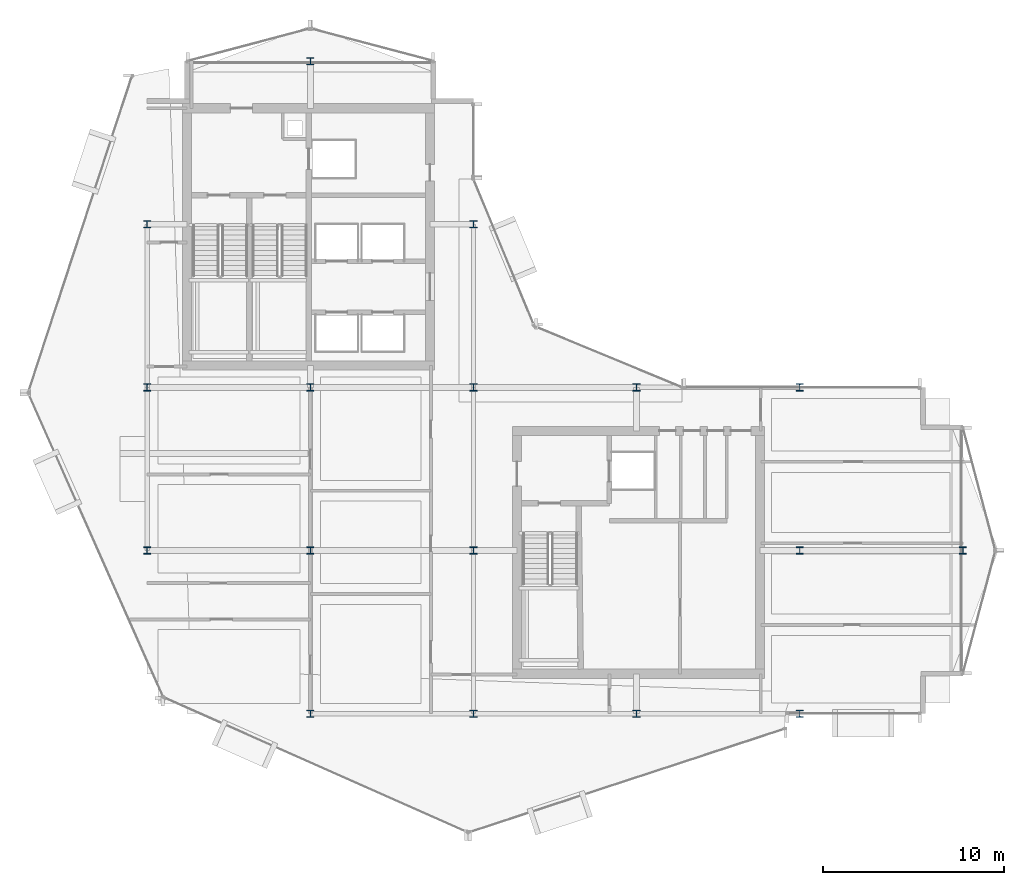
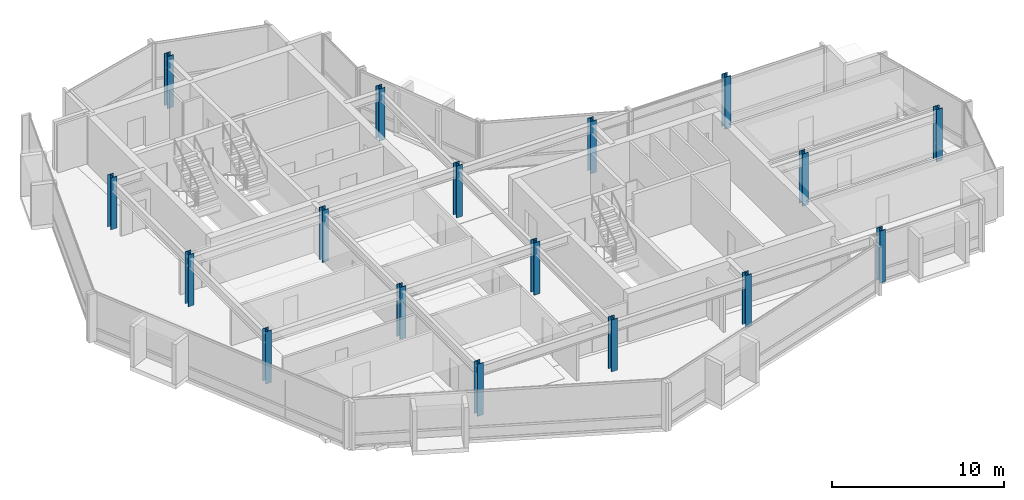
# One storey, part 1 of 28: 17 columns.
"""IFC4 building model written with IfcOpenShell, lengths in metres."""

from ifc_helpers import new_model, si_unit, direction, frame, origin, origin_2d, place, context, subcontext, project, spatial, i_section, extrude, material, material_profile, profile_set, type_object, element, save


model = new_model("IFC4")

# Units and contexts
model_context = context("Model", 3, precision=1e-05, world=origin(), true_north=direction((0.0, 1.0)))
body_context = subcontext(model_context, "Body", "Model", "MODEL_VIEW")
ifc_project = project(units=[si_unit("LENGTHUNIT", "METRE"), si_unit("AREAUNIT", "SQUARE_METRE"), si_unit("VOLUMEUNIT", "CUBIC_METRE"), si_unit("PLANEANGLEUNIT", "RADIAN"), si_unit("MASSUNIT", "GRAM", prefix="KILO")], contexts=[model_context])

# Site, building, storey
site_placement = place(None, origin())
site = spatial("IfcSite", under=ifc_project, at=site_placement, CompositionType="ELEMENT")
building_placement = place(site_placement, origin())
building = spatial("IfcBuilding", under=site, at=building_placement, Name="Solvaryn Broadcast Tower", CompositionType="ELEMENT")
storey_placement = place(building_placement, frame((0.0, 0.0, 213.60009765625)))
storey = spatial("IfcBuildingStorey", under=building, at=storey_placement, Name="L53", CompositionType="ELEMENT", Elevation=213.60009765625)

# Columns
ifc_material_1 = material(Name="Steel ASTM A913 Grade 65", Category="steel")
ifc_material_profile_1 = material_profile(ifc_material_1, i_section(OverallWidth=0.40087890625, OverallDepth=0.39892578125, WebThickness=0.02490234375, FlangeThickness=0.03955078125, FilletRadius=0.014892578125, at=origin_2d()))
ifc_profile_set_1 = profile_set([ifc_material_profile_1], Name="Steel ASTM A913 Grade 65")
column_type_1 = type_object("IfcColumnType", Name="COL-C08E-W14X211", PredefinedType="COLUMN", material=ifc_profile_set_1)
for number, where, z_axis, x_axis, name in (
    (1, (9.0, 18.0, 0.0), (0.0, 0.0, 1.0), (1.0, 0.0, 0.0), "L53 Column (9.0, 18.0)"),
    (2, (9.0, 27.0, 0.0), (0.0, 0.0, 1.0), (1.0, 0.0, 0.0), "L53 Column (9.0, 27.0)"),
    (3, (9.0, 36.0, 0.0), (0.0, 0.0, 1.0), (1.0, 0.0, 0.0), "L53 Column (9.0, 36.0)"),
    (4, (18.0, 9.0, 0.0), (0.0, 0.0, 1.0), (1.0, 0.0, 0.0), "L53 Column (18.0, 9.0)"),
    (5, (18.0, 45.0, 0.0), (0.0, 0.0, 1.0), (1.0, 0.0, 0.0), "L53 Column (18.0, 45.0)"),
    (6, (27.0, 9.0, 0.0), (0.0, 0.0, 1.0), (1.0, 0.0, 0.0), "L53 Column (27.0, 9.0)"),
    (7, (27.0, 36.0, 0.0), (0.0, 0.0, 1.0), (1.0, 0.0, 0.0), "L53 Column (27.0, 36.0)"),
    (8, (36.0, 9.0, 0.0), (0.0, 0.0, 1.0), (1.0, 0.0, 0.0), "L53 Column (36.0, 9.0)"),
    (9, (36.0, 27.0, 0.0), (0.0, 0.0, 1.0), (1.0, 0.0, 0.0), "L53 Column (36.0, 27.0)"),
    (10, (45.0, 9.0, 0.0), (0.0, 0.0, 1.0), (1.0, 0.0, 0.0), "L53 Column (45.0, 9.0)"),
    (11, (45.0, 27.0, 0.0), (0.0, 0.0, 1.0), (1.0, 0.0, 0.0), "L53 Column (45.0, 27.0)"),
    (12, (54.0, 18.0, 0.0), (0.0, 0.0, 1.0), (1.0, 0.0, 0.0), "L53 Column (54.0, 18.0)"),
):
    element("IfcColumn", number, at=place(storey_placement, frame(where, z_axis=z_axis, x_axis=x_axis)), inside=storey, type_object=column_type_1, Name=name, PredefinedType="COLUMN", context=body_context, shape_type="SweptSolid", body=[
        extrude(i_section(OverallWidth=0.40087890625, OverallDepth=0.39892578125, WebThickness=0.02490234375, FlangeThickness=0.03955078125, FilletRadius=0.014892578125, at=origin_2d()), origin(), (0.0, 0.0, 1.0), 3.699951171875),
    ])
ifc_material_2 = material(Name="Steel ASTM A913 Grade 65", Category="steel")
ifc_material_profile_2 = material_profile(ifc_material_2, i_section(OverallWidth=0.40087890625, OverallDepth=0.39892578125, WebThickness=0.02490234375, FlangeThickness=0.03955078125, FilletRadius=0.014892578125, at=origin_2d()))
ifc_profile_set_2 = profile_set([ifc_material_profile_2], Name="Steel ASTM A913 Grade 65")
column_type_2 = type_object("IfcColumnType", Name="COL-C08I-W14X211", PredefinedType="COLUMN", material=ifc_profile_set_2)
for number, where, z_axis, x_axis, name in (
    (13, (18.0, 18.0, 0.0), (0.0, 0.0, 1.0), (1.0, 0.0, 0.0), "L53 Column (18.0, 18.0)"),
    (14, (18.0, 27.0, 0.0), (0.0, 0.0, 1.0), (1.0, 0.0, 0.0), "L53 Column (18.0, 27.0)"),
    (15, (27.0, 18.0, 0.0), (0.0, 0.0, 1.0), (1.0, 0.0, 0.0), "L53 Column (27.0, 18.0)"),
    (16, (27.0, 27.0, 0.0), (0.0, 0.0, 1.0), (1.0, 0.0, 0.0), "L53 Column (27.0, 27.0)"),
    (17, (45.0, 18.0, 0.0), (0.0, 0.0, 1.0), (1.0, 0.0, 0.0), "L53 Column (45.0, 18.0)"),
):
    element("IfcColumn", number, at=place(storey_placement, frame(where, z_axis=z_axis, x_axis=x_axis)), inside=storey, type_object=column_type_2, Name=name, PredefinedType="COLUMN", context=body_context, shape_type="SweptSolid", body=[
        extrude(i_section(OverallWidth=0.40087890625, OverallDepth=0.39892578125, WebThickness=0.02490234375, FlangeThickness=0.03955078125, FilletRadius=0.014892578125, at=origin_2d()), origin(), (0.0, 0.0, 1.0), 3.699951171875),
    ])

save(model, "model.ifc")
